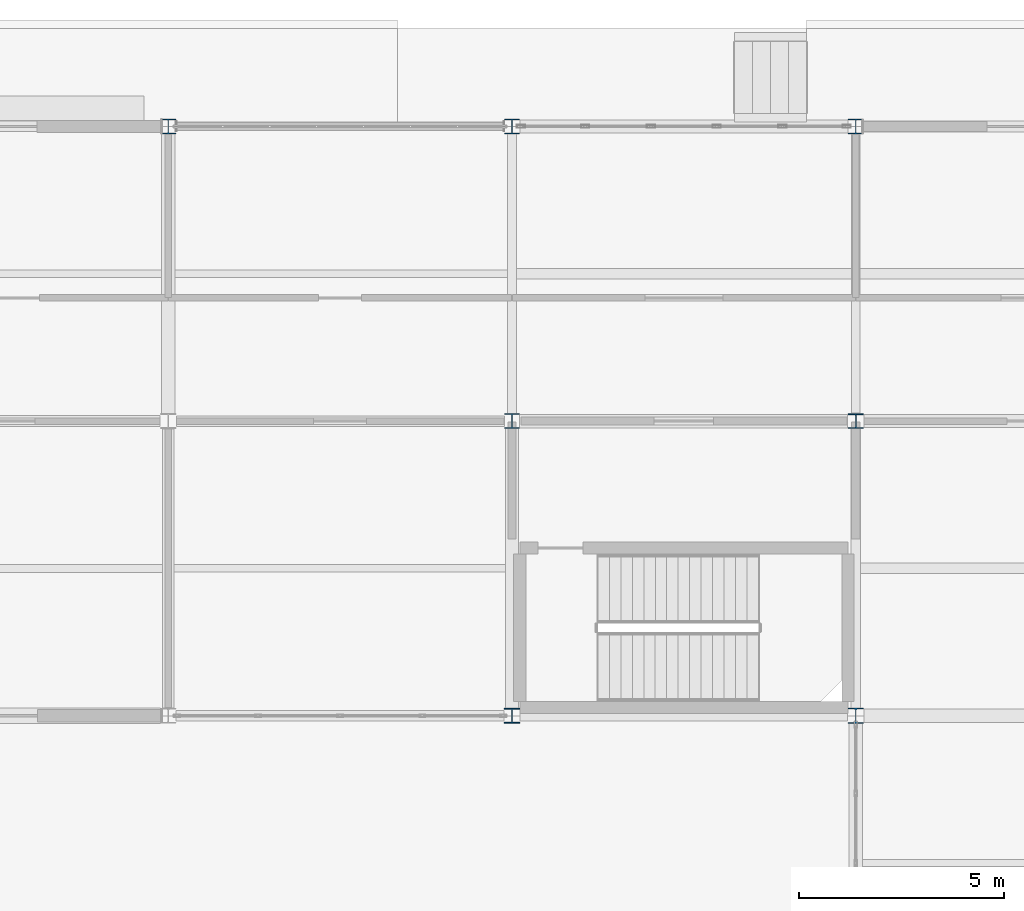
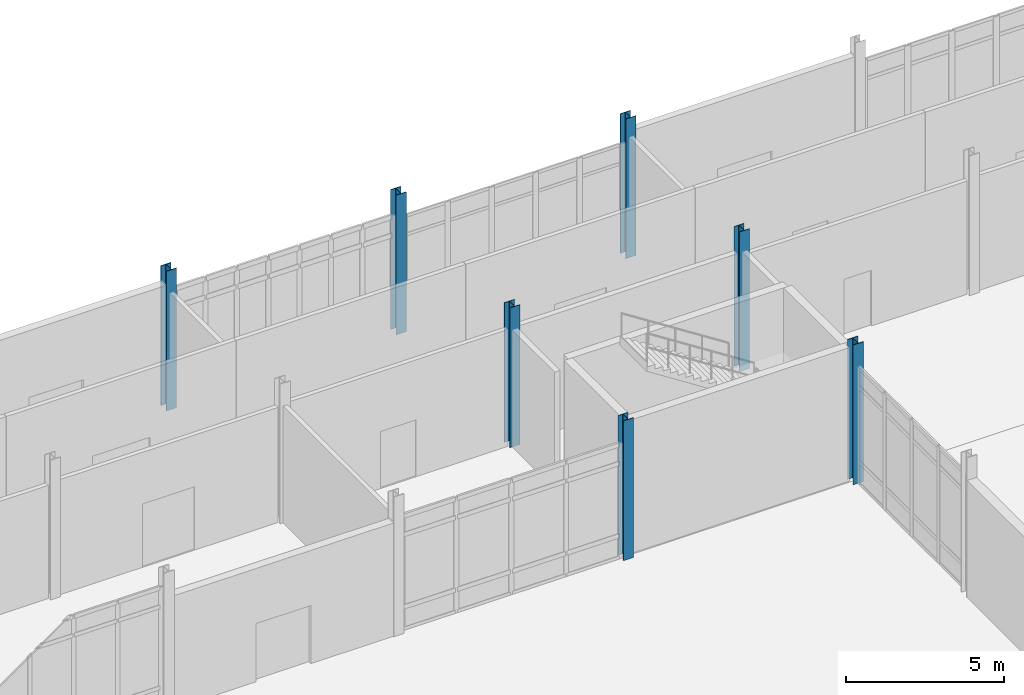
# One storey, part 13 of 229: 7 columns.
"""IFC4 building model written with IfcOpenShell, lengths in metres."""

from ifc_helpers import new_model, si_unit, direction, frame, origin, origin_2d, place, context, subcontext, project, spatial, i_section, extrude, material, material_profile, profile_set, type_object, element, save


model = new_model("IFC4")

# Units and contexts
model_context = context("Model", 3, precision=1e-05, world=origin(), true_north=direction((0.0, 1.0)))
body_context = subcontext(model_context, "Body", "Model", "MODEL_VIEW")
ifc_project = project(units=[si_unit("LENGTHUNIT", "METRE"), si_unit("AREAUNIT", "SQUARE_METRE"), si_unit("VOLUMEUNIT", "CUBIC_METRE"), si_unit("PLANEANGLEUNIT", "RADIAN"), si_unit("MASSUNIT", "GRAM", prefix="KILO")], contexts=[model_context])

# Site, building, storey
site_placement = place(None, origin())
site = spatial("IfcSite", under=ifc_project, at=site_placement, CompositionType="ELEMENT")
building_placement = place(site_placement, origin())
building = spatial("IfcBuilding", under=site, at=building_placement, Name="Calvrana Isthmian Art Gallery", CompositionType="ELEMENT")
storey_placement = place(building_placement, origin())
storey = spatial("IfcBuildingStorey", under=building, at=storey_placement, Name="L00", CompositionType="ELEMENT", Elevation=0.0)

# Columns
ifc_material = material(Name="Steel ASTM A992 Gr 50", Category="steel")
ifc_material_profile_1 = material_profile(ifc_material, i_section(OverallWidth=0.37109375, OverallDepth=0.363037109375, WebThickness=0.01318359375, FlangeThickness=0.021728515625, FilletRadius=0.02490234375, at=origin_2d()), Name="W14X109")
ifc_profile_set_1 = profile_set([ifc_material_profile_1], Name="Steel ASTM A992 Gr 50")
column_type_1 = type_object("IfcColumnType", Name="COL-STL-W14X109", PredefinedType="COLUMN", material=ifc_profile_set_1)
for number, where, z_axis, x_axis, name in (
    (1, (46.800048828125, 105.60009765625, 0.0), (0.0, 0.0, 1.0), (1.0, 0.0, 0.0), "Column 07/O L00"),
    (2, (55.199951171875, 112.800048828125, 0.0), (0.0, 0.0, 1.0), (1.0, 0.0, 0.0), "Column 08/P L00"),
):
    element("IfcColumn", number, at=place(storey_placement, frame(where, z_axis=z_axis, x_axis=x_axis)), inside=storey, type_object=column_type_1, Name=name, PredefinedType="COLUMN", context=body_context, shape_type="SweptSolid", body=[
        extrude(i_section(OverallWidth=0.37109375, OverallDepth=0.363037109375, WebThickness=0.01318359375, FlangeThickness=0.021728515625, FilletRadius=0.02490234375, at=origin_2d()), origin(), (0.0, 0.0, 1.0), 5.39990234375),
    ])
ifc_material_profile_2 = material_profile(ifc_material, i_section(OverallWidth=0.373046875, OverallDepth=0.367919921875, WebThickness=0.014892578125, FlangeThickness=0.02392578125, FilletRadius=0.02490234375, at=origin_2d()), Name="W14X120")
ifc_profile_set_2 = profile_set([ifc_material_profile_2], Name="Steel ASTM A992 Gr 50")
column_type_2 = type_object("IfcColumnType", Name="COL-STL-W14X120", PredefinedType="COLUMN", material=ifc_profile_set_2)
column_placement = place(storey_placement, frame((46.800048828125, 112.800048828125, 0.0), z_axis=(0.0, 0.0, 1.0), x_axis=(1.0, 0.0, 0.0)))
element("IfcColumn", 3, at=column_placement, inside=storey, type_object=column_type_2, Name="Column 07/P L00", PredefinedType="COLUMN", context=body_context, shape_type="SweptSolid", body=[
    extrude(i_section(OverallWidth=0.373046875, OverallDepth=0.367919921875, WebThickness=0.014892578125, FlangeThickness=0.02392578125, FilletRadius=0.02490234375, at=origin_2d()), origin(), (0.0, 0.0, 1.0), 5.39990234375),
])
ifc_material_profile_3 = material_profile(ifc_material, i_section(OverallWidth=0.373046875, OverallDepth=0.373046875, WebThickness=0.016357421875, FlangeThickness=0.026123046875, FilletRadius=0.02490234375, at=origin_2d()), Name="W14X132")
ifc_profile_set_3 = profile_set([ifc_material_profile_3], Name="Steel ASTM A992 Gr 50")
column_type_3 = type_object("IfcColumnType", Name="COL-STL-W14X132", PredefinedType="COLUMN", material=ifc_profile_set_3)
for number, where, z_axis, x_axis, name in (
    (4, (38.39990234375, 112.800048828125, 0.0), (0.0, 0.0, 1.0), (1.0, 0.0, 0.0), "Column 06/P L00"),
    (5, (55.199951171875, 98.39990234375, 0.0), (0.0, 0.0, 1.0), (1.0, 0.0, 0.0), "Column 08/N L00"),
):
    element("IfcColumn", number, at=place(storey_placement, frame(where, z_axis=z_axis, x_axis=x_axis)), inside=storey, type_object=column_type_3, Name=name, PredefinedType="COLUMN", context=body_context, shape_type="SweptSolid", body=[
        extrude(i_section(OverallWidth=0.373046875, OverallDepth=0.373046875, WebThickness=0.016357421875, FlangeThickness=0.026123046875, FilletRadius=0.02490234375, at=origin_2d()), origin(), (0.0, 0.0, 1.0), 5.39990234375),
    ])
ifc_material_profile_4 = material_profile(ifc_material, i_section(OverallWidth=0.367919921875, OverallDepth=0.35595703125, WebThickness=0.01123046875, FlangeThickness=0.01806640625, FilletRadius=0.02490234375, at=origin_2d()), Name="W14X90")
ifc_profile_set_4 = profile_set([ifc_material_profile_4], Name="Steel ASTM A992 Gr 50")
column_type_4 = type_object("IfcColumnType", Name="COL-STL-W14X90", PredefinedType="COLUMN", material=ifc_profile_set_4)
for number, where, z_axis, x_axis, name in (
    (6, (46.800048828125, 98.39990234375, 0.0), (0.0, 0.0, 1.0), (1.0, 0.0, 0.0), "Column 07/N L00"),
    (7, (55.199951171875, 105.60009765625, 0.0), (0.0, 0.0, 1.0), (1.0, 0.0, 0.0), "Column 08/O L00"),
):
    element("IfcColumn", number, at=place(storey_placement, frame(where, z_axis=z_axis, x_axis=x_axis)), inside=storey, type_object=column_type_4, Name=name, PredefinedType="COLUMN", context=body_context, shape_type="SweptSolid", body=[
        extrude(i_section(OverallWidth=0.367919921875, OverallDepth=0.35595703125, WebThickness=0.01123046875, FlangeThickness=0.01806640625, FilletRadius=0.02490234375, at=origin_2d()), origin(), (0.0, 0.0, 1.0), 5.39990234375),
    ])

save(model, "model.ifc")
